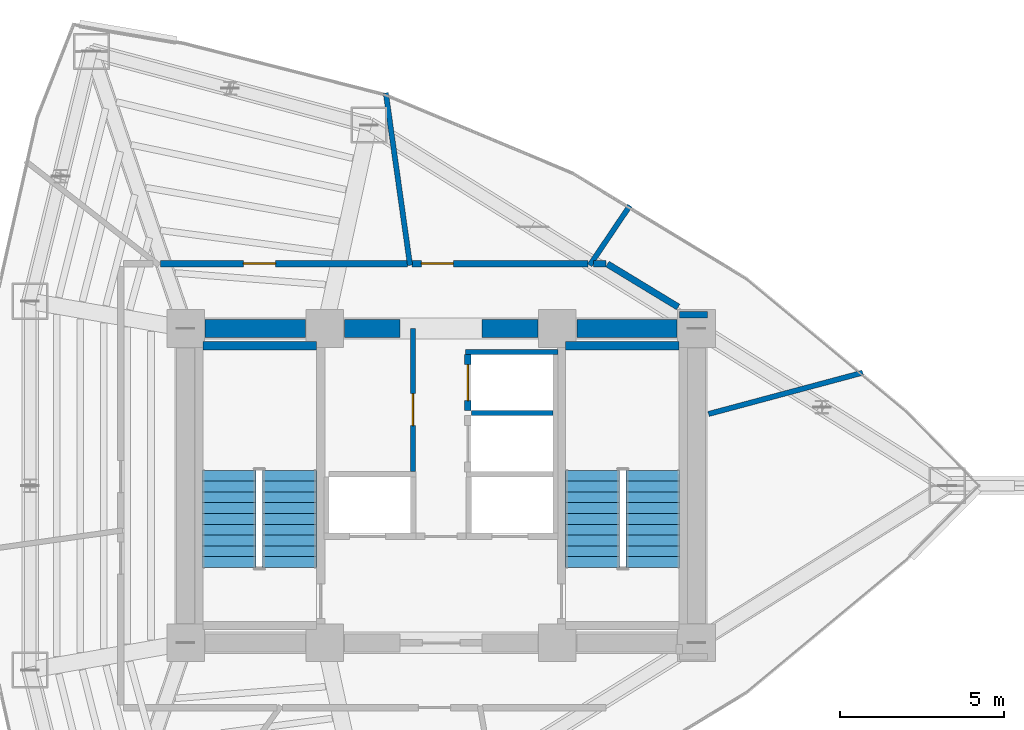
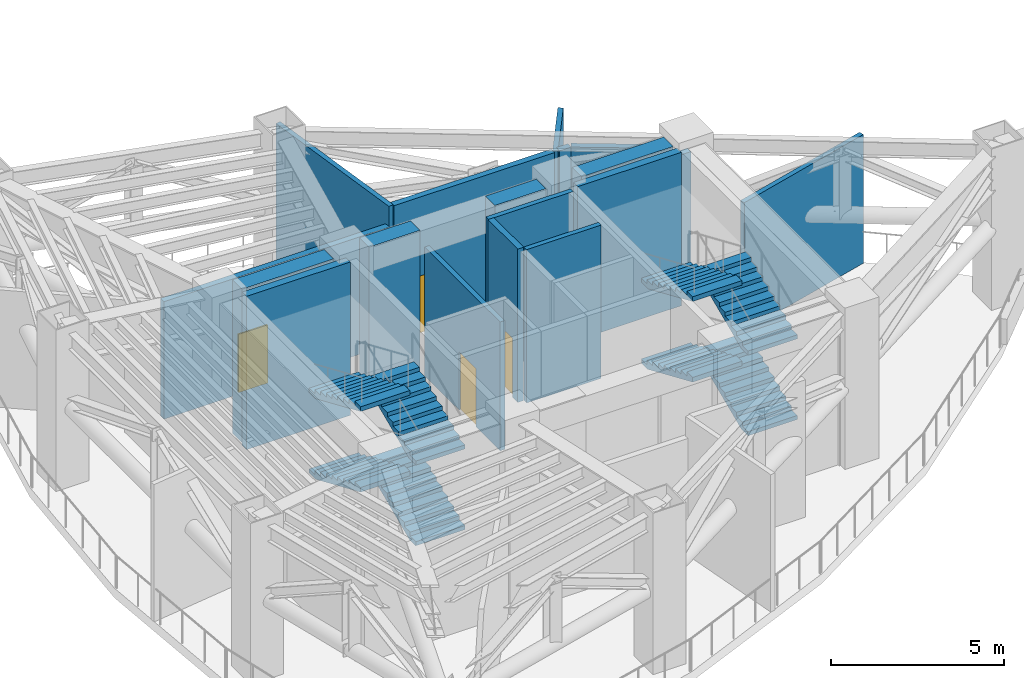
# One storey, part 6 of 8: 18 walls, 8 stair flights, 4 doors, 4 openings, 2 elements without a shape of their own.
"""IFC4 building model written with IfcOpenShell, lengths in metres."""

from ifc_helpers import new_model, si_unit, direction, frame, frame_2d, origin, place, context, subcontext, project, spatial, polyline, rectangle, outline, extrude, material, layer, layer_set, type_object, element, fill, aggregate, save


model = new_model("IFC4")

# Units and contexts
model_context = context("Model", 3, precision=1e-05, world=origin(), true_north=direction((0.0, 1.0)))
body_context = subcontext(model_context, "Body", "Model", "MODEL_VIEW")
ifc_project = project(units=[si_unit("LENGTHUNIT", "METRE"), si_unit("AREAUNIT", "SQUARE_METRE"), si_unit("VOLUMEUNIT", "CUBIC_METRE"), si_unit("PLANEANGLEUNIT", "RADIAN"), si_unit("MASSUNIT", "GRAM", prefix="KILO")], contexts=[model_context])

# Site, building, storey
site_placement = place(None, origin())
site = spatial("IfcSite", under=ifc_project, at=site_placement, CompositionType="ELEMENT")
building_placement = place(site_placement, origin())
building = spatial("IfcBuilding", under=site, at=building_placement, Name="Menara Vayukalpa", CompositionType="ELEMENT")
storey_placement = place(building_placement, frame((0.0, 0.0, 148.6201171875)))
storey = spatial("IfcBuildingStorey", under=building, at=storey_placement, Name="L37", CompositionType="ELEMENT", Elevation=148.6201171875)

# Walls
ifc_material_1 = material(Name="Concrete C60/75", Category="concrete")
ifc_layer_1 = layer(ifc_material_1, 0.550048828125)
ifc_layer_set_1 = layer_set([ifc_layer_1], Name="Concrete C60/75")
wall_type_1 = type_object("IfcWallType", Name="WAL-CW550", PredefinedType="SHEAR", material=ifc_layer_set_1)
wall_1_placement = place(storey_placement, frame((18.39501953125, 26.800048828125, 0.0), z_axis=(0.0, 0.0, 1.0), x_axis=(1.0, 0.0, 0.0)))
element("IfcWall", 1, at=wall_1_placement, inside=storey, type_object=wall_type_1, Name="L37 Buttressed Core Shear Wall CWN1", PredefinedType="SHEAR", context=body_context, shape_type="SweptSolid", body=[
    extrude(rectangle(XDim=3.06005859375, YDim=0.550048828125, at=frame_2d((1.530029296875, 0.0))), origin(), (0.0, 0.0, 1.0), 5.419921875),
])
wall_2_placement = place(storey_placement, frame((22.64501953125, 26.800048828125, 0.0), z_axis=(0.0, 0.0, 1.0), x_axis=(1.0, 0.0, 0.0)))
element("IfcWall", 2, at=wall_2_placement, inside=storey, type_object=wall_type_1, Name="L37 Buttressed Core Shear Wall CWN2", PredefinedType="SHEAR", context=body_context, shape_type="SweptSolid", body=[
    extrude(rectangle(XDim=1.705078125, YDim=0.550048828125, at=frame_2d((0.8525390625, 0.0))), origin(), (0.0, 0.0, 1.0), 5.419921875),
])
wall_3_placement = place(storey_placement, frame((26.85009765625, 26.800048828125, 0.0), z_axis=(0.0, 0.0, 1.0), x_axis=(1.0, 0.0, 0.0)))
element("IfcWall", 3, at=wall_3_placement, inside=storey, type_object=wall_type_1, Name="L37 Buttressed Core Shear Wall CWN3", PredefinedType="SHEAR", context=body_context, shape_type="SweptSolid", body=[
    extrude(rectangle(XDim=1.704833984375, YDim=0.550048828125, at=frame_2d((0.8525390625, 0.0))), origin(), (0.0, 0.0, 1.0), 5.419921875),
])
wall_4_placement = place(storey_placement, frame((29.7451171875, 26.800048828125, 0.0), z_axis=(0.0, 0.0, 1.0), x_axis=(1.0, 0.0, 0.0)))
element("IfcWall", 4, at=wall_4_placement, inside=storey, type_object=wall_type_1, Name="L37 Buttressed Core Shear Wall CWN4", PredefinedType="SHEAR", context=body_context, shape_type="SweptSolid", body=[
    extrude(rectangle(XDim=3.059814453125, YDim=0.550048828125, at=frame_2d((1.52978515625, 0.0))), origin(), (0.0, 0.0, 1.0), 5.419921875),
])
ifc_material_2 = material(Name="Lightweight Concrete Blockwork C16/20", Category="masonry")
ifc_layer_2 = layer(ifc_material_2, 0.159912109375)
ifc_layer_set_2 = layer_set([ifc_layer_2], Name="Lightweight Concrete Blockwork C16/20")
wall_type_2 = type_object("IfcWallType", Name="WAL-FR150", PredefinedType="PARTITIONING", material=ifc_layer_set_2)
wall_5_placement = place(storey_placement, frame((26.530029296875, 24.215087890625, 0.0), z_axis=(0.0, 0.0, 1.0), x_axis=(1.0, 0.0, 0.0)))
element("IfcWall", 5, at=wall_5_placement, inside=storey, type_object=wall_type_2, Name="L37 Interior Partition IW-L37-SHM-E32", PredefinedType="PARTITIONING", context=body_context, shape_type="SweptSolid", body=[
    extrude(rectangle(XDim=2.489990234375, YDim=0.159912109375, at=frame_2d((1.2451171875, 0.0))), origin(), (0.0, 0.0, 1.0), 5.419921875),
])
wall_6_placement = place(storey_placement, frame((26.340087890625, 26.0849609375, 0.0), z_axis=(0.0, 0.0, 1.0), x_axis=(1.0, 0.0, 0.0)))
element("IfcWall", 6, at=wall_6_placement, inside=storey, type_object=wall_type_2, Name="L37 Interior Partition IW-L37-SHM-E2N", PredefinedType="PARTITIONING", context=body_context, shape_type="SweptSolid", body=[
    extrude(rectangle(XDim=2.829833984375, YDim=0.159912109375, at=frame_2d((1.4150390625, 0.0))), origin(), (0.0, 0.0, 1.0), 5.419921875),
])

# Wall, opening, door
wall_7_placement = place(storey_placement, frame((24.739990234375, 22.429931640625, 0.0), z_axis=(0.0, 0.0, 1.0), x_axis=(0.0, 1.0, 0.0)))
wall_7 = element("IfcWall", 7, at=wall_7_placement, inside=storey, type_object=wall_type_2, Name="L37 Interior Partition IW-L37-LV7W", PredefinedType="PARTITIONING", context=body_context, shape_type="SweptSolid", body=[
    extrude(rectangle(XDim=4.3701171875, YDim=0.159912109375, at=frame_2d((2.18505859375, 0.0))), origin(), (0.0, 0.0, 1.0), 4.5498046875),
])
opening_1_placement = place(wall_7_placement, frame((1.39990234375, 0.0, 0.0)))
opening_1 = element("IfcOpeningElement", 8, at=opening_1_placement, cuts=wall_7, Name="Opening ID3", PredefinedType="OPENING", context=body_context, shape_type="SweptSolid", body=[
    extrude(rectangle(XDim=0.97998046875, YDim=2.06005859375, at=frame_2d((0.489990234375, 1.030029296875))), frame((0.0, 0.08984375, 0.0), z_axis=(0.0, -1.0, 0.0), x_axis=(1.0, 0.0, 0.0)), (0.0, 0.0, 1.0), 0.179931640625),
])
ifc_material_3 = material(Name="Fire-Rated Powder-Coated Steel Door", Category="steel")
door_type_1 = type_object("IfcDoorType", Name="DR-FD60", OperationType="NOTDEFINED", PredefinedType="DOOR", material=ifc_material_3)
door_1_placement = place(opening_1_placement, origin())
door_1 = element("IfcDoor", 9, at=door_1_placement, inside=storey, type_object=door_type_1, Name="L37 Interior Door DR-L37-LV7W", OperationType="SINGLE_SWING_RIGHT", OverallHeight=2.06005859375, OverallWidth=0.97998046875, PredefinedType="DOOR", context=body_context, shape_type="SweptSolid", body=[
    extrude(rectangle(XDim=0.97998046875, YDim=2.06005859375, at=frame_2d((0.489990234375, 1.030029296875))), frame((0.0, 0.02490234375, 0.0), z_axis=(0.0, -1.0, 0.0), x_axis=(1.0, 0.0, 0.0)), (0.0, 0.0, 1.0), 0.050048828125),
])
fill(opening_1, door_1)

# Walls
wall_8_placement = place(storey_placement, frame((33.77001953125, 24.189208984375, 0.0), z_axis=(0.0, 0.0, 1.0), x_axis=(0.96592502591, 0.258822032141, 0.0)))
element("IfcWall", 10, at=wall_8_placement, inside=storey, type_object=wall_type_2, Name="L37 Interior Partition IW-L37-RDIV01", PredefinedType="PARTITIONING", context=body_context, shape_type="SweptSolid", body=[
    extrude(rectangle(XDim=4.874755859375, YDim=0.159912109375, at=frame_2d((2.4375, 0.0))), origin(), (0.0, 0.0, 1.0), 4.5498046875),
])
wall_9_placement = place(storey_placement, frame((30.139404296875, 28.72998046875, 0.0), z_axis=(0.0, 0.0, 1.0), x_axis=(0.559257141169, 0.828994240059, 0.0)))
element("IfcWall", 11, at=wall_9_placement, inside=storey, type_object=wall_type_2, Name="L37 Interior Partition IW-L37-RDIV02", PredefinedType="PARTITIONING", context=body_context, shape_type="SweptSolid", body=[
    extrude(rectangle(XDim=2.19677734375, YDim=0.159912109375, at=frame_2d((1.098388671875, 0.0))), origin(), (0.0, 0.0, 1.0), 4.849853515625),
])
wall_10_placement = place(storey_placement, frame((24.654296875, 28.72998046875, 0.0), z_axis=(0.0, 0.0, 1.0), x_axis=(-0.139209808081, 0.990262909198, 0.0)))
element("IfcWall", 12, at=wall_10_placement, inside=storey, type_object=wall_type_2, Name="L37 Interior Partition IW-L37-RDIV03", PredefinedType="PARTITIONING", context=body_context, shape_type="SweptSolid", body=[
    extrude(rectangle(XDim=5.3173828125, YDim=0.159912109375, at=frame_2d((2.65869140625, 0.0))), origin(), (0.0, 0.0, 1.0), 4.849853515625),
])

# Wall, opening, door
ifc_material_4 = material(Name="Lightweight Concrete Blockwork C16/20", Category="masonry")
ifc_layer_3 = layer(ifc_material_4, 0.199951171875)
ifc_layer_set_3 = layer_set([ifc_layer_3], Name="Lightweight Concrete Blockwork C16/20")
wall_type_3 = type_object("IfcWallType", Name="WAL-FR200", PredefinedType="PARTITIONING", material=ifc_layer_set_3)
wall_11_placement = place(storey_placement, frame((26.419921875, 24.2900390625, 0.0), z_axis=(0.0, 0.0, 1.0), x_axis=(0.0, 1.0, 0.0)))
wall_11 = element("IfcWall", 13, at=wall_11_placement, inside=storey, type_object=wall_type_3, Name="L37 Interior Partition IW-L37-SH-E2", PredefinedType="PARTITIONING", context=body_context, shape_type="SweptSolid", body=[
    extrude(rectangle(XDim=1.719970703125, YDim=0.199951171875, at=frame_2d((0.85986328125, 0.0))), origin(), (0.0, 0.0, 1.0), 5.419921875),
])
opening_2_placement = place(wall_11_placement, frame((0.31005859375, 0.0, 0.0)))
opening_2 = element("IfcOpeningElement", 14, at=opening_2_placement, cuts=wall_11, Name="Opening LD1", PredefinedType="OPENING", context=body_context, shape_type="SweptSolid", body=[
    extrude(rectangle(XDim=1.10009765625, YDim=2.080078125, at=frame_2d((0.550048828125, 1.0400390625))), frame((0.0, 0.10986328125, 0.0), z_axis=(0.0, -1.0, 0.0), x_axis=(1.0, 0.0, 0.0)), (0.0, 0.0, 1.0), 0.219970703125),
])
ifc_material_5 = material(Name="Brushed Stainless Steel 316 Lift Door", Category="steel")
door_type_2 = type_object("IfcDoorType", Name="DR-LD110", OperationType="NOTDEFINED", PredefinedType="DOOR", material=ifc_material_5)
door_2_placement = place(opening_2_placement, origin())
door_2 = element("IfcDoor", 15, at=door_2_placement, inside=storey, type_object=door_type_2, Name="L37 Interior Door DR-L37-LD-E2", OperationType="DOUBLE_DOOR_SLIDING", OverallHeight=2.080078125, OverallWidth=1.10009765625, PredefinedType="DOOR", context=body_context, shape_type="SweptSolid", body=[
    extrude(rectangle(XDim=1.10009765625, YDim=2.080078125, at=frame_2d((0.550048828125, 1.0400390625))), frame((0.0, 0.02490234375, 0.0), z_axis=(0.0, -1.0, 0.0), x_axis=(1.0, 0.0, 0.0)), (0.0, 0.0, 1.0), 0.050048828125),
])
fill(opening_2, door_2)

# Walls
wall_12_placement = place(storey_placement, frame((33.739990234375, 27.219970703125, 0.0), z_axis=(0.0, 0.0, 1.0), x_axis=(-1.0, 0.0, 0.0)))
element("IfcWall", 16, at=wall_12_placement, inside=storey, type_object=wall_type_3, Name="L37 Interior Partition IW-L37-CRM04-1", PredefinedType="PARTITIONING", context=body_context, shape_type="SweptSolid", body=[
    extrude(rectangle(XDim=0.860107421875, YDim=0.199951171875, at=frame_2d((0.43017578125, 0.0))), origin(), (0.0, 0.0, 1.0), 4.5498046875),
])
wall_13_placement = place(storey_placement, frame((32.841552734375, 27.4560546875, 0.0), z_axis=(0.0, 0.0, 1.0), x_axis=(-0.854658937776, 0.519189849746, 0.0)))
element("IfcWall", 17, at=wall_13_placement, inside=storey, type_object=wall_type_3, Name="L37 Interior Partition IW-L37-CRM04-3", PredefinedType="PARTITIONING", context=body_context, shape_type="SweptSolid", body=[
    extrude(rectangle(XDim=2.527587890625, YDim=0.199951171875, at=frame_2d((1.263671875, 0.0))), origin(), (0.0, 0.0, 1.0), 4.849853515625),
])
wall_14_placement = place(storey_placement, frame((30.639892578125, 28.780029296875, 0.0), z_axis=(0.0, 0.0, 1.0), x_axis=(-1.0, 0.0, 0.0)))
element("IfcWall", 18, at=wall_14_placement, inside=storey, type_object=wall_type_3, Name="L37 Interior Partition IW-L37-CRM04-4", PredefinedType="PARTITIONING", context=body_context, shape_type="SweptSolid", body=[
    extrude(rectangle(XDim=0.38232421875, YDim=0.199951171875, at=frame_2d((0.191162109375, 0.0))), origin(), (0.0, 0.0, 1.0), 4.849853515625),
])

# Wall, opening, door
wall_15_placement = place(storey_placement, frame((30.088623046875, 28.780029296875, 0.0), z_axis=(0.0, 0.0, 1.0), x_axis=(-1.0, 0.0, 0.0)))
wall_15 = element("IfcWall", 19, at=wall_15_placement, inside=storey, type_object=wall_type_3, Name="L37 Interior Partition IW-L37-CRM05-1", PredefinedType="PARTITIONING", context=body_context, shape_type="SweptSolid", body=[
    extrude(rectangle(XDim=5.370849609375, YDim=0.199951171875, at=frame_2d((2.685546875, 0.0))), origin(), (0.0, 0.0, 1.0), 4.849853515625),
])
opening_3_placement = place(wall_15_placement, frame((4.11083984375, 0.0, 0.0)))
opening_3 = element("IfcOpeningElement", 20, at=opening_3_placement, cuts=wall_15, Name="Opening ID3", PredefinedType="OPENING", context=body_context, shape_type="SweptSolid", body=[
    extrude(rectangle(XDim=0.97998046875, YDim=2.06005859375, at=frame_2d((0.489990234375, 1.030029296875))), frame((0.0, 0.10986328125, 0.0), z_axis=(0.0, -1.0, 0.0), x_axis=(1.0, 0.0, 0.0)), (0.0, 0.0, 1.0), 0.219970703125),
])
door_3_placement = place(opening_3_placement, origin())
door_3 = element("IfcDoor", 21, at=door_3_placement, inside=storey, type_object=door_type_1, Name="L37 Interior Door DR-L37-RM05", OperationType="SINGLE_SWING_LEFT", OverallHeight=2.06005859375, OverallWidth=0.97998046875, PredefinedType="DOOR", context=body_context, shape_type="SweptSolid", body=[
    extrude(rectangle(XDim=0.97998046875, YDim=2.06005859375, at=frame_2d((0.489990234375, 1.030029296875))), frame((0.0, 0.02490234375, 0.0), z_axis=(0.0, -1.0, 0.0), x_axis=(1.0, 0.0, 0.0)), (0.0, 0.0, 1.0), 0.050048828125),
])
fill(opening_3, door_3)

wall_16_placement = place(storey_placement, frame((24.576416015625, 28.780029296875, 0.0), z_axis=(0.0, 0.0, 1.0), x_axis=(-1.0, 0.0, 0.0)))
wall_16 = element("IfcWall", 22, at=wall_16_placement, inside=storey, type_object=wall_type_3, Name="L37 Interior Partition IW-L37-CRM06-1", PredefinedType="PARTITIONING", context=body_context, shape_type="SweptSolid", body=[
    extrude(rectangle(XDim=7.54150390625, YDim=0.199951171875, at=frame_2d((3.770751953125, 0.0))), origin(), (0.0, 0.0, 1.0), 4.14990234375),
])
opening_4_placement = place(wall_16_placement, frame((4.031005859375, 0.0, 0.0)))
opening_4 = element("IfcOpeningElement", 23, at=opening_4_placement, cuts=wall_16, Name="Opening ID3", PredefinedType="OPENING", context=body_context, shape_type="SweptSolid", body=[
    extrude(rectangle(XDim=0.97998046875, YDim=2.06005859375, at=frame_2d((0.489990234375, 1.030029296875))), frame((0.0, 0.10986328125, 0.0), z_axis=(0.0, -1.0, 0.0), x_axis=(1.0, 0.0, 0.0)), (0.0, 0.0, 1.0), 0.219970703125),
])
door_4_placement = place(opening_4_placement, origin())
door_4 = element("IfcDoor", 24, at=door_4_placement, inside=storey, type_object=door_type_1, Name="L37 Interior Door DR-L37-RM06", OperationType="SINGLE_SWING_RIGHT", OverallHeight=2.06005859375, OverallWidth=0.97998046875, PredefinedType="DOOR", context=body_context, shape_type="SweptSolid", body=[
    extrude(rectangle(XDim=0.97998046875, YDim=2.06005859375, at=frame_2d((0.489990234375, 1.030029296875))), frame((0.0, 0.02490234375, 0.0), z_axis=(0.0, -1.0, 0.0), x_axis=(1.0, 0.0, 0.0)), (0.0, 0.0, 1.0), 0.050048828125),
])
fill(opening_4, door_4)

# Walls
ifc_material_6 = material(Name="Concrete C50/60", Category="concrete")
ifc_layer_4 = layer(ifc_material_6, 0.25)
ifc_layer_set_4 = layer_set([ifc_layer_4], Name="Concrete C50/60")
wall_type_4 = type_object("IfcWallType", Name="WAL-SW250", PredefinedType="SHEAR", material=ifc_layer_set_4)
wall_17_placement = place(storey_placement, frame((18.3291015625, 26.27490234375, 0.0), z_axis=(0.0, 0.0, 1.0), x_axis=(1.0, 0.0, 0.0)))
element("IfcWall", 25, at=wall_17_placement, inside=storey, type_object=wall_type_4, Name="L37 ST1 Structural Stair Shaft Wall N", PredefinedType="SHEAR", context=body_context, shape_type="SweptSolid", body=[
    extrude(rectangle(XDim=3.470947265625, YDim=0.25, at=frame_2d((1.7353515625, 0.0))), origin(), (0.0, 0.0, 1.0), 5.419921875),
])
wall_18_placement = place(storey_placement, frame((29.39990234375, 26.27490234375, 0.0), z_axis=(0.0, 0.0, 1.0), x_axis=(1.0, 0.0, 0.0)))
element("IfcWall", 26, at=wall_18_placement, inside=storey, type_object=wall_type_4, Name="L37 ST2 Structural Stair Shaft Wall N", PredefinedType="SHEAR", context=body_context, shape_type="SweptSolid", body=[
    extrude(rectangle(XDim=3.47119140625, YDim=0.25, at=frame_2d((1.735595703125, 0.0))), origin(), (0.0, 0.0, 1.0), 5.419921875),
])

# Stair, stair flights
ifc_material_7 = material(Name="Precast Concrete C40/50", Category="concrete")
stair_type = type_object("IfcStairType", Name="STR-T05", PredefinedType="DOUBLE_RETURN_STAIR", material=ifc_material_7)
stair_1_placement = place(storey_placement, origin())
stair_1 = element("IfcStair", 27, at=stair_1_placement, inside=storey, type_object=stair_type, Name="L37 Core Exit Stair ST-1", PredefinedType="DOUBLE_RETURN_STAIR")
ifc_material_8 = material(Name="Precast Concrete C40/50", Category="concrete")
stair_flight_type = type_object("IfcStairFlightType", Name="STF-T05", PredefinedType="STRAIGHT", material=ifc_material_8)
stair_flight_1_placement = place(storey_placement, frame((20.97509765625, 19.5, 0.0), z_axis=(0.0, 0.0, 1.0), x_axis=(0.0, 1.0, 0.0)))
stair_flight_1 = element("IfcStairFlight", 28, at=stair_flight_1_placement, type_object=stair_flight_type, Name="ST-1 flight 1", NumberOfRisers=10, NumberOfTreads=9, PredefinedType="STRAIGHT", RiserHeight=0.1425, TreadLength=0.33, context=body_context, shape_type="SweptSolid", body=[
    extrude(outline(polyline([(0.0, 0.0), (0.0, 0.142578125), (0.330078125, 0.142578125), (0.330078125, 0.284912109375), (0.659912109375, 0.284912109375), (0.659912109375, 0.427490234375), (0.989990234375, 0.427490234375), (0.989990234375, 0.570068359375), (1.320068359375, 0.570068359375), (1.320068359375, 0.71240234375), (1.64990234375, 0.71240234375), (1.64990234375, 0.85498046875), (1.97998046875, 0.85498046875), (1.97998046875, 0.99755859375), (2.31005859375, 0.99755859375), (2.31005859375, 1.139892578125), (2.639892578125, 1.139892578125), (2.639892578125, 1.282470703125), (2.969970703125, 1.282470703125), (2.969970703125, 1.425048828125), (2.969970703125, 1.119140625), (0.378173828125, 0.0), (0.0, 0.0)])), frame((0.0, 0.824951171875, 0.0), z_axis=(0.0, -1.0, 0.0), x_axis=(1.0, 0.0, 0.0)), (0.0, 0.0, 1.0), 1.64990234375),
])
stair_flight_2_placement = place(storey_placement, frame((19.125, 22.469970703125, 1.4248046875), z_axis=(0.0, 0.0, 1.0), x_axis=(0.0, -1.0, 0.0)))
stair_flight_2 = element("IfcStairFlight", 29, at=stair_flight_2_placement, type_object=stair_flight_type, Name="ST-1 flight 2", NumberOfRisers=10, NumberOfTreads=9, PredefinedType="STRAIGHT", RiserHeight=0.1425, TreadLength=0.33, context=body_context, shape_type="SweptSolid", body=[
    extrude(outline(polyline([(0.0, 0.0), (0.0, 0.142578125), (0.330078125, 0.142578125), (0.330078125, 0.284912109375), (0.659912109375, 0.284912109375), (0.659912109375, 0.427490234375), (0.989990234375, 0.427490234375), (0.989990234375, 0.570068359375), (1.320068359375, 0.570068359375), (1.320068359375, 0.71240234375), (1.64990234375, 0.71240234375), (1.64990234375, 0.85498046875), (1.97998046875, 0.85498046875), (1.97998046875, 0.99755859375), (2.31005859375, 0.99755859375), (2.31005859375, 1.139892578125), (2.639892578125, 1.139892578125), (2.639892578125, 1.282470703125), (2.969970703125, 1.282470703125), (2.969970703125, 1.425048828125), (2.969970703125, 1.119140625), (0.378173828125, 0.0), (0.0, 0.0)])), frame((0.0, 0.824951171875, 0.0), z_axis=(0.0, -1.0, 0.0), x_axis=(1.0, 0.0, 0.0)), (0.0, 0.0, 1.0), 1.64990234375),
])
stair_flight_3_placement = place(storey_placement, frame((20.97509765625, 19.5, 2.849853515625), z_axis=(0.0, 0.0, 1.0), x_axis=(0.0, 1.0, 0.0)))
stair_flight_3 = element("IfcStairFlight", 30, at=stair_flight_3_placement, type_object=stair_flight_type, Name="ST-1 flight 3", NumberOfRisers=10, NumberOfTreads=9, PredefinedType="STRAIGHT", RiserHeight=0.1425, TreadLength=0.33, context=body_context, shape_type="SweptSolid", body=[
    extrude(outline(polyline([(0.0, 0.0), (0.0, 0.142578125), (0.330078125, 0.142578125), (0.330078125, 0.284912109375), (0.659912109375, 0.284912109375), (0.659912109375, 0.427490234375), (0.989990234375, 0.427490234375), (0.989990234375, 0.570068359375), (1.320068359375, 0.570068359375), (1.320068359375, 0.71240234375), (1.64990234375, 0.71240234375), (1.64990234375, 0.85498046875), (1.97998046875, 0.85498046875), (1.97998046875, 0.99755859375), (2.31005859375, 0.99755859375), (2.31005859375, 1.139892578125), (2.639892578125, 1.139892578125), (2.639892578125, 1.282470703125), (2.969970703125, 1.282470703125), (2.969970703125, 1.425048828125), (2.969970703125, 1.119140625), (0.378173828125, 0.0), (0.0, 0.0)])), frame((0.0, 0.824951171875, 0.0), z_axis=(0.0, -1.0, 0.0), x_axis=(1.0, 0.0, 0.0)), (0.0, 0.0, 1.0), 1.64990234375),
])
stair_flight_4_placement = place(storey_placement, frame((19.125, 22.469970703125, 4.27490234375), z_axis=(0.0, 0.0, 1.0), x_axis=(0.0, -1.0, 0.0)))
stair_flight_4 = element("IfcStairFlight", 31, at=stair_flight_4_placement, type_object=stair_flight_type, Name="ST-1 flight 4", NumberOfRisers=10, NumberOfTreads=9, PredefinedType="STRAIGHT", RiserHeight=0.1425, TreadLength=0.33, context=body_context, shape_type="SweptSolid", body=[
    extrude(outline(polyline([(0.0, 0.0), (0.0, 0.142578125), (0.330078125, 0.142578125), (0.330078125, 0.284912109375), (0.659912109375, 0.284912109375), (0.659912109375, 0.427490234375), (0.989990234375, 0.427490234375), (0.989990234375, 0.570068359375), (1.320068359375, 0.570068359375), (1.320068359375, 0.71240234375), (1.64990234375, 0.71240234375), (1.64990234375, 0.85498046875), (1.97998046875, 0.85498046875), (1.97998046875, 0.99755859375), (2.31005859375, 0.99755859375), (2.31005859375, 1.139892578125), (2.639892578125, 1.139892578125), (2.639892578125, 1.282470703125), (2.969970703125, 1.282470703125), (2.969970703125, 1.425048828125), (2.969970703125, 1.119140625), (0.378173828125, 0.0), (0.0, 0.0)])), frame((0.0, 0.824951171875, 0.0), z_axis=(0.0, -1.0, 0.0), x_axis=(1.0, 0.0, 0.0)), (0.0, 0.0, 1.0), 1.64990234375),
])
aggregate(stair_1, [stair_flight_1, stair_flight_2, stair_flight_3, stair_flight_4])

stair_2_placement = place(storey_placement, origin())
stair_2 = element("IfcStair", 32, at=stair_2_placement, inside=storey, type_object=stair_type, Name="L37 Core Exit Stair ST-2", PredefinedType="DOUBLE_RETURN_STAIR")
stair_flight_5_placement = place(storey_placement, frame((32.074951171875, 19.5, 0.0), z_axis=(0.0, 0.0, 1.0), x_axis=(0.0, 1.0, 0.0)))
stair_flight_5 = element("IfcStairFlight", 33, at=stair_flight_5_placement, type_object=stair_flight_type, Name="ST-2 flight 1", NumberOfRisers=10, NumberOfTreads=9, PredefinedType="STRAIGHT", RiserHeight=0.1425, TreadLength=0.33, context=body_context, shape_type="SweptSolid", body=[
    extrude(outline(polyline([(0.0, 0.0), (0.0, 0.142578125), (0.330078125, 0.142578125), (0.330078125, 0.284912109375), (0.659912109375, 0.284912109375), (0.659912109375, 0.427490234375), (0.989990234375, 0.427490234375), (0.989990234375, 0.570068359375), (1.320068359375, 0.570068359375), (1.320068359375, 0.71240234375), (1.64990234375, 0.71240234375), (1.64990234375, 0.85498046875), (1.97998046875, 0.85498046875), (1.97998046875, 0.99755859375), (2.31005859375, 0.99755859375), (2.31005859375, 1.139892578125), (2.639892578125, 1.139892578125), (2.639892578125, 1.282470703125), (2.969970703125, 1.282470703125), (2.969970703125, 1.425048828125), (2.969970703125, 1.119140625), (0.378173828125, 0.0), (0.0, 0.0)])), frame((0.0, 0.824951171875, 0.0), z_axis=(0.0, -1.0, 0.0), x_axis=(1.0, 0.0, 0.0)), (0.0, 0.0, 1.0), 1.64990234375),
])
stair_flight_6_placement = place(storey_placement, frame((30.22509765625, 22.469970703125, 1.4248046875), z_axis=(0.0, 0.0, 1.0), x_axis=(0.0, -1.0, 0.0)))
stair_flight_6 = element("IfcStairFlight", 34, at=stair_flight_6_placement, type_object=stair_flight_type, Name="ST-2 flight 2", NumberOfRisers=10, NumberOfTreads=9, PredefinedType="STRAIGHT", RiserHeight=0.1425, TreadLength=0.33, context=body_context, shape_type="SweptSolid", body=[
    extrude(outline(polyline([(0.0, 0.0), (0.0, 0.142578125), (0.330078125, 0.142578125), (0.330078125, 0.284912109375), (0.659912109375, 0.284912109375), (0.659912109375, 0.427490234375), (0.989990234375, 0.427490234375), (0.989990234375, 0.570068359375), (1.320068359375, 0.570068359375), (1.320068359375, 0.71240234375), (1.64990234375, 0.71240234375), (1.64990234375, 0.85498046875), (1.97998046875, 0.85498046875), (1.97998046875, 0.99755859375), (2.31005859375, 0.99755859375), (2.31005859375, 1.139892578125), (2.639892578125, 1.139892578125), (2.639892578125, 1.282470703125), (2.969970703125, 1.282470703125), (2.969970703125, 1.425048828125), (2.969970703125, 1.119140625), (0.378173828125, 0.0), (0.0, 0.0)])), frame((0.0, 0.824951171875, 0.0), z_axis=(0.0, -1.0, 0.0), x_axis=(1.0, 0.0, 0.0)), (0.0, 0.0, 1.0), 1.64990234375),
])
stair_flight_7_placement = place(storey_placement, frame((32.074951171875, 19.5, 2.849853515625), z_axis=(0.0, 0.0, 1.0), x_axis=(0.0, 1.0, 0.0)))
stair_flight_7 = element("IfcStairFlight", 35, at=stair_flight_7_placement, type_object=stair_flight_type, Name="ST-2 flight 3", NumberOfRisers=10, NumberOfTreads=9, PredefinedType="STRAIGHT", RiserHeight=0.1425, TreadLength=0.33, context=body_context, shape_type="SweptSolid", body=[
    extrude(outline(polyline([(0.0, 0.0), (0.0, 0.142578125), (0.330078125, 0.142578125), (0.330078125, 0.284912109375), (0.659912109375, 0.284912109375), (0.659912109375, 0.427490234375), (0.989990234375, 0.427490234375), (0.989990234375, 0.570068359375), (1.320068359375, 0.570068359375), (1.320068359375, 0.71240234375), (1.64990234375, 0.71240234375), (1.64990234375, 0.85498046875), (1.97998046875, 0.85498046875), (1.97998046875, 0.99755859375), (2.31005859375, 0.99755859375), (2.31005859375, 1.139892578125), (2.639892578125, 1.139892578125), (2.639892578125, 1.282470703125), (2.969970703125, 1.282470703125), (2.969970703125, 1.425048828125), (2.969970703125, 1.119140625), (0.378173828125, 0.0), (0.0, 0.0)])), frame((0.0, 0.824951171875, 0.0), z_axis=(0.0, -1.0, 0.0), x_axis=(1.0, 0.0, 0.0)), (0.0, 0.0, 1.0), 1.64990234375),
])
stair_flight_8_placement = place(storey_placement, frame((30.22509765625, 22.469970703125, 4.27490234375), z_axis=(0.0, 0.0, 1.0), x_axis=(0.0, -1.0, 0.0)))
stair_flight_8 = element("IfcStairFlight", 36, at=stair_flight_8_placement, type_object=stair_flight_type, Name="ST-2 flight 4", NumberOfRisers=10, NumberOfTreads=9, PredefinedType="STRAIGHT", RiserHeight=0.1425, TreadLength=0.33, context=body_context, shape_type="SweptSolid", body=[
    extrude(outline(polyline([(0.0, 0.0), (0.0, 0.142578125), (0.330078125, 0.142578125), (0.330078125, 0.284912109375), (0.659912109375, 0.284912109375), (0.659912109375, 0.427490234375), (0.989990234375, 0.427490234375), (0.989990234375, 0.570068359375), (1.320068359375, 0.570068359375), (1.320068359375, 0.71240234375), (1.64990234375, 0.71240234375), (1.64990234375, 0.85498046875), (1.97998046875, 0.85498046875), (1.97998046875, 0.99755859375), (2.31005859375, 0.99755859375), (2.31005859375, 1.139892578125), (2.639892578125, 1.139892578125), (2.639892578125, 1.282470703125), (2.969970703125, 1.282470703125), (2.969970703125, 1.425048828125), (2.969970703125, 1.119140625), (0.378173828125, 0.0), (0.0, 0.0)])), frame((0.0, 0.824951171875, 0.0), z_axis=(0.0, -1.0, 0.0), x_axis=(1.0, 0.0, 0.0)), (0.0, 0.0, 1.0), 1.64990234375),
])
aggregate(stair_2, [stair_flight_5, stair_flight_6, stair_flight_7, stair_flight_8])

save(model, "model.ifc")
